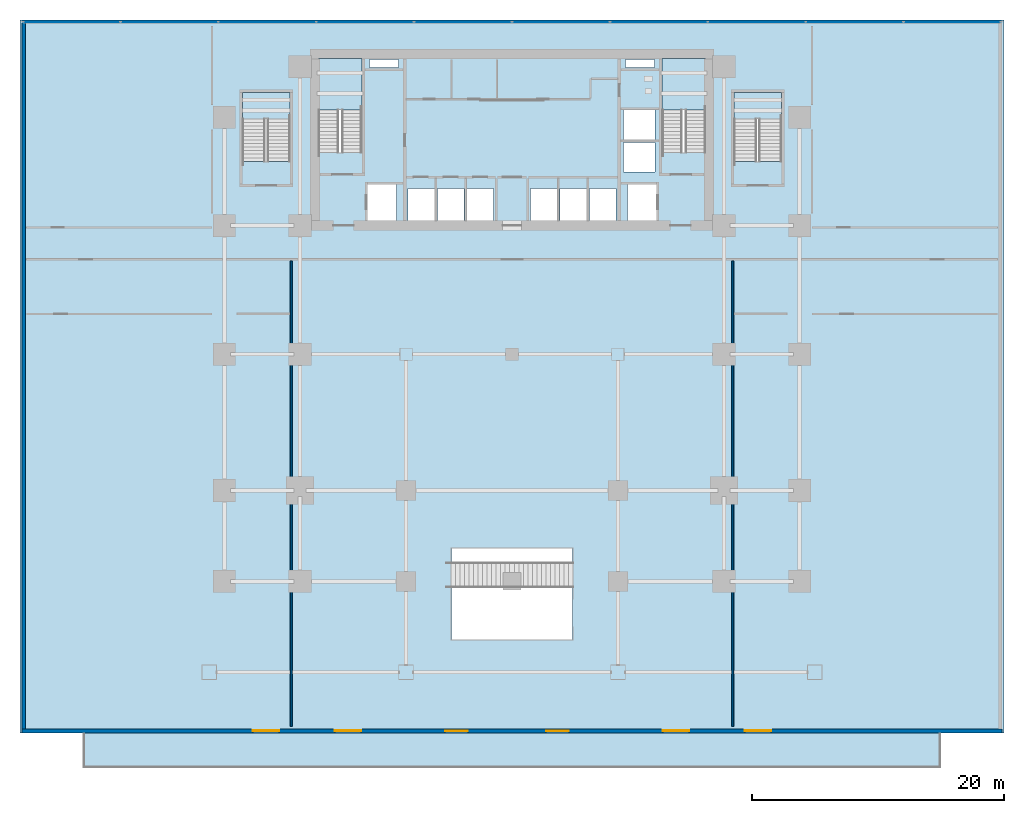
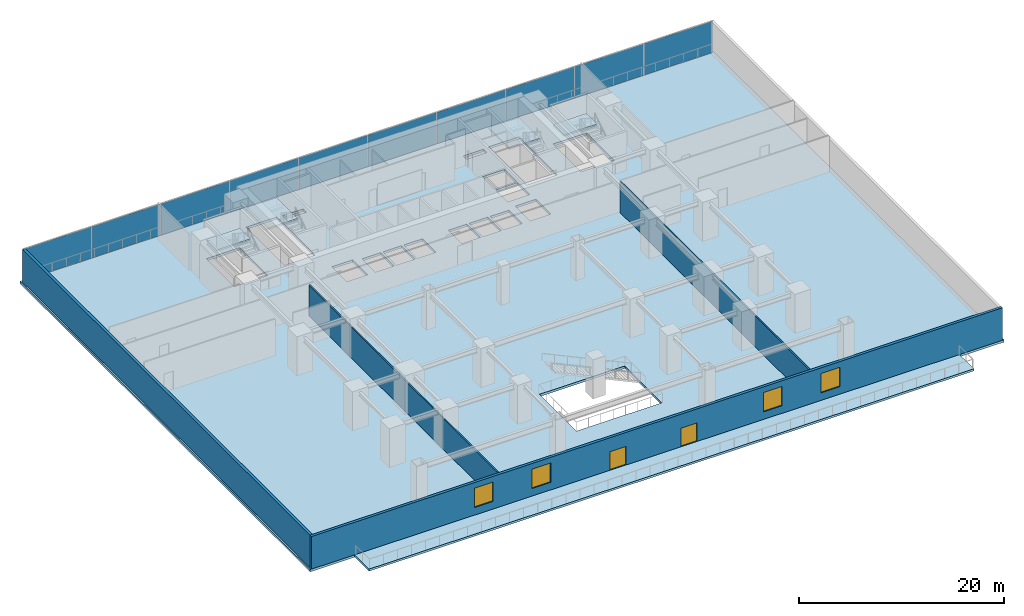
# One storey, part 8 of 17: 10 plates, 6 slabs, 4 walls, 4 windows, 2 doors, 6 openings, 5 elements without a shape of their own.
"""IFC4 building model written with IfcOpenShell, lengths in metres."""

from ifc_helpers import new_model, si_unit, direction, frame, frame_2d, origin, origin_2d, place, context, subcontext, project, spatial, polyline, rectangle, outline, extrude, source, transform, mapped, material, layer, layer_set, type_object, element, fill, aggregate, save


model = new_model("IFC4")

# Units and contexts
model_context = context("Model", 3, precision=1e-05, world=origin(), true_north=direction((0.0, 1.0)))
body_context = subcontext(model_context, "Body", "Model", "MODEL_VIEW")
ifc_project = project(units=[si_unit("LENGTHUNIT", "METRE"), si_unit("AREAUNIT", "SQUARE_METRE"), si_unit("VOLUMEUNIT", "CUBIC_METRE"), si_unit("PLANEANGLEUNIT", "RADIAN"), si_unit("MASSUNIT", "GRAM", prefix="KILO")], contexts=[model_context])

# Site, building, storey
site_placement = place(None, origin())
site = spatial("IfcSite", under=ifc_project, at=site_placement, CompositionType="ELEMENT")
building_placement = place(site_placement, origin())
building = spatial("IfcBuilding", under=site, at=building_placement, Name="Sumidabori Civic Tower", CompositionType="ELEMENT")
storey_placement = place(building_placement, frame((0.0, 0.0, 5.0)))
storey = spatial("IfcBuildingStorey", under=building, at=storey_placement, Name="L01", CompositionType="ELEMENT", Elevation=5.0)

# Stair, slab
ifc_material_1 = material(Name="Concrete C40/50", Category="concrete")
stair_type_1 = type_object("IfcStairType", Name="ST-CORE-1600", PredefinedType="HALF_TURN_STAIR", material=ifc_material_1)
stair_1_placement = place(storey_placement, origin())
stair_1 = element("IfcStair", 1, at=stair_1_placement, inside=storey, type_object=stair_type_1, Name="L01 ST-1", PredefinedType="HALF_TURN_STAIR")
ifc_layer_1 = layer(ifc_material_1, 0.199951171875, Name="Concrete C40/50")
ifc_layer_set_1 = layer_set([ifc_layer_1], Name="Concrete C40/50")
slab_type_1 = type_object("IfcSlabType", Name="SL-LAND-200", PredefinedType="LANDING", material=ifc_layer_set_1)
slab_1_placement = place(storey_placement, frame((0.0, 0.0, 2.125)))
slab_1 = element("IfcSlab", 2, at=slab_1_placement, type_object=slab_type_1, Name="ST-1 landing 1", PredefinedType="LANDING", context=body_context, shape_type="SweptSolid", body=[
    extrude(outline(polyline([(-11.89990234375, 19.360107421875), (-11.89990234375, 23.449951171875), (-15.340087890625, 23.449951171875), (-15.340087890625, 19.360107421875), (-11.89990234375, 19.360107421875)])), origin(), (0.0, 0.0, 1.0), 0.199951171875),
])
aggregate(stair_1, [slab_1])

stair_2_placement = place(storey_placement, origin())
stair_2 = element("IfcStair", 3, at=stair_2_placement, inside=storey, type_object=stair_type_1, Name="L01 ST-2", PredefinedType="HALF_TURN_STAIR")
slab_2_placement = place(storey_placement, frame((0.0, 0.0, 2.125)))
slab_2 = element("IfcSlab", 4, at=slab_2_placement, type_object=slab_type_1, Name="ST-2 landing 1", PredefinedType="LANDING", context=body_context, shape_type="SweptSolid", body=[
    extrude(outline(polyline([(15.340087890625, 19.360107421875), (15.340087890625, 23.449951171875), (11.89990234375, 23.449951171875), (11.89990234375, 19.360107421875), (15.340087890625, 19.360107421875)])), origin(), (0.0, 0.0, 1.0), 0.199951171875),
])
aggregate(stair_2, [slab_2])

stair_type_2 = type_object("IfcStairType", Name="ST-POD-1800", PredefinedType="HALF_TURN_STAIR", material=ifc_material_1)
stair_3_placement = place(storey_placement, origin())
stair_3 = element("IfcStair", 5, at=stair_3_placement, inside=storey, type_object=stair_type_2, Name="L01 ST-3", PredefinedType="HALF_TURN_STAIR")
slab_3_placement = place(storey_placement, frame((0.0, 0.0, 2.125)))
slab_3 = element("IfcSlab", 6, at=slab_3_placement, type_object=slab_type_1, Name="ST-3 landing 1", PredefinedType="LANDING", context=body_context, shape_type="SweptSolid", body=[
    extrude(outline(polyline([(-17.60009765625, 18.659912109375), (-17.60009765625, 20.739990234375), (-21.360107421875, 20.739990234375), (-21.360107421875, 18.659912109375), (-17.60009765625, 18.659912109375)])), origin(), (0.0, 0.0, 1.0), 0.199951171875),
])
aggregate(stair_3, [slab_3])

stair_4_placement = place(storey_placement, origin())
stair_4 = element("IfcStair", 7, at=stair_4_placement, inside=storey, type_object=stair_type_2, Name="L01 ST-4", PredefinedType="HALF_TURN_STAIR")
slab_4_placement = place(storey_placement, frame((0.0, 0.0, 2.125)))
slab_4 = element("IfcSlab", 8, at=slab_4_placement, type_object=slab_type_1, Name="ST-4 landing 1", PredefinedType="LANDING", context=body_context, shape_type="SweptSolid", body=[
    extrude(outline(polyline([(21.360107421875, 18.659912109375), (21.360107421875, 20.739990234375), (17.60009765625, 20.739990234375), (17.60009765625, 18.659912109375), (21.360107421875, 18.659912109375)])), origin(), (0.0, 0.0, 1.0), 0.199951171875),
])
aggregate(stair_4, [slab_4])

# Slabs
ifc_layer_2 = layer(ifc_material_1, 0.280029296875, Name="Concrete C40/50")
ifc_layer_set_2 = layer_set([ifc_layer_2], Name="Concrete C40/50")
slab_type_2 = type_object("IfcSlabType", Name="SL-POD-280", PredefinedType="FLOOR", material=ifc_layer_set_2)
slab_5_placement = place(storey_placement, frame((0.0, 0.0, -0.280029296875)))
element("IfcSlab", 9, at=slab_5_placement, inside=storey, type_object=slab_type_2, Name="Structural Slab L01", PredefinedType="FLOOR", context=body_context, shape_type="SweptSolid", body=[
    extrude(outline(polyline([(-39.0, -30.0), (39.0, -30.0), (39.0, 26.5), (-39.0, 26.5), (-39.0, -30.0)]), holes=[polyline([(-11.89990234375, 16.0), (-11.89990234375, 23.449951171875), (-15.340087890625, 23.449951171875), (-15.340087890625, 16.0), (-11.89990234375, 16.0)]), polyline([(15.340087890625, 16.0), (15.340087890625, 23.449951171875), (11.89990234375, 23.449951171875), (11.89990234375, 16.0), (15.340087890625, 16.0)]), polyline([(-17.60009765625, 15.300048828125), (-17.60009765625, 20.739990234375), (-21.360107421875, 20.739990234375), (-21.360107421875, 15.300048828125), (-17.60009765625, 15.300048828125)]), polyline([(21.360107421875, 15.300048828125), (21.360107421875, 20.739990234375), (17.60009765625, 20.739990234375), (17.60009765625, 15.300048828125), (21.360107421875, 15.300048828125)]), polyline([(-11.449951171875, 10.550048828125), (-9.14990234375, 10.550048828125), (-9.14990234375, 13.449951171875), (-11.449951171875, 13.449951171875), (-11.449951171875, 10.550048828125)]), polyline([(9.14990234375, 10.550048828125), (11.449951171875, 10.550048828125), (11.449951171875, 13.449951171875), (9.14990234375, 13.449951171875), (9.14990234375, 10.550048828125)]), polyline([(-8.25, 10.550048828125), (-6.14990234375, 10.550048828125), (-6.14990234375, 13.14990234375), (-8.25, 13.14990234375), (-8.25, 10.550048828125)]), polyline([(-5.89990234375, 10.550048828125), (-3.800048828125, 10.550048828125), (-3.800048828125, 13.14990234375), (-5.89990234375, 13.14990234375), (-5.89990234375, 10.550048828125)]), polyline([(-3.550048828125, 10.550048828125), (-1.449951171875, 10.550048828125), (-1.449951171875, 13.14990234375), (-3.550048828125, 13.14990234375), (-3.550048828125, 10.550048828125)]), polyline([(1.449951171875, 10.550048828125), (3.550048828125, 10.550048828125), (3.550048828125, 13.14990234375), (1.449951171875, 13.14990234375), (1.449951171875, 10.550048828125)]), polyline([(3.800048828125, 10.550048828125), (5.89990234375, 10.550048828125), (5.89990234375, 13.14990234375), (3.800048828125, 13.14990234375), (3.800048828125, 10.550048828125)]), polyline([(6.14990234375, 10.550048828125), (8.25, 10.550048828125), (8.25, 13.14990234375), (6.14990234375, 13.14990234375), (6.14990234375, 10.550048828125)]), polyline([(8.85009765625, 14.449951171875), (11.35009765625, 14.449951171875), (11.35009765625, 16.800048828125), (8.85009765625, 16.800048828125), (8.85009765625, 14.449951171875)]), polyline([(8.85009765625, 17.0), (11.35009765625, 17.0), (11.35009765625, 19.35009765625), (8.85009765625, 19.35009765625), (8.85009765625, 17.0)]), polyline([(-11.300048828125, 22.719970703125), (-9.0, 22.719970703125), (-9.0, 23.35009765625), (-11.300048828125, 23.35009765625), (-11.300048828125, 22.719970703125)]), polyline([(9.0, 22.719970703125), (11.300048828125, 22.719970703125), (11.300048828125, 23.35009765625), (9.0, 23.35009765625), (9.0, 22.719970703125)]), polyline([(-4.800048828125, -22.60009765625), (4.800048828125, -22.60009765625), (4.800048828125, -15.39990234375), (-4.800048828125, -15.39990234375), (-4.800048828125, -22.60009765625)])]), origin(), (0.0, 0.0, 1.0), 0.280029296875),
])
ifc_layer_3 = layer(ifc_material_1, 0.25, Name="Concrete C40/50")
ifc_layer_set_3 = layer_set([ifc_layer_3], Name="Concrete C40/50")
slab_type_3 = type_object("IfcSlabType", Name="SL-TER-250", PredefinedType="FLOOR", material=ifc_layer_set_3)
slab_6_placement = place(storey_placement, frame((0.0, 0.0, -0.25)))
element("IfcSlab", 10, at=slab_6_placement, inside=storey, type_object=slab_type_3, Name="Planted Podium Roof Terrace TER-L01-S", PredefinedType="FLOOR", context=body_context, shape_type="SweptSolid", body=[
    extrude(outline(polyline([(-34.0, -32.800048828125), (34.0, -32.800048828125), (34.0, -30.0), (-34.0, -30.0), (-34.0, -32.800048828125)])), origin(), (0.0, 0.0, 1.0), 0.25),
])

# Curtain wall, plates
ifc_material_2 = material(Name="Anodised Bronze Aluminium AW-6063-T6", Category="aluminium")
ifc_layer_4 = layer(ifc_material_2, 0.179931640625, Name="Anodised Bronze Aluminium AW-6063-T6")
ifc_layer_set_4 = layer_set([ifc_layer_4], Name="Anodised Bronze Aluminium AW-6063-T6")
curtain_wall_type = type_object("IfcCurtainWallType", Name="CW-SYS-1", PredefinedType="NOTDEFINED", material=ifc_layer_set_4)
curtain_wall_placement = place(storey_placement, origin())
curtain_wall = element("IfcCurtainWall", 11, at=curtain_wall_placement, inside=storey, type_object=curtain_wall_type, Name="Curtain Wall CW:L01:NORTH", PredefinedType="NOTDEFINED")
ifc_material_3 = material(Name="Low-E Vision Double Glazing", Category="glass")
ifc_layer_5 = layer(ifc_material_3, 0.031982421875, Name="Low-E Vision Double Glazing")
ifc_layer_set_5 = layer_set([ifc_layer_5], Name="Low-E Vision Double Glazing")
plate_type = type_object("IfcPlateType", Name="CW-PNL-32", PredefinedType="CURTAIN_PANEL", material=ifc_layer_set_5)
shared_shape_1 = source(origin(), body_context, "Body", "SweptSolid", [
    extrude(rectangle(XDim=7.655029296875, YDim=0.031982421875, at=origin_2d()), origin(), (0.0, 0.0, 1.0), 3.739990234375),
])
plate_1_placement = place(storey_placement, frame((-34.902587890625, 26.35009765625, 0.06494140625), z_axis=(0.0, 0.0, 1.0), x_axis=(1.0, 0.0, 0.0)))
plate_1 = element("IfcPlate", 12, at=plate_1_placement, type_object=plate_type, Name="CW-1 panel 1.1", PredefinedType="CURTAIN_PANEL", context=body_context, shape_type="MappedRepresentation", body=[
    mapped(shared_shape_1, transform((0.0, 0.0, 0.0), x_axis=(1.0, 0.0, 0.0), y_axis=(0.0, 1.0, 0.0), z_axis=(0.0, 0.0, 1.0), scale=1.0)),
])
plate_2_placement = place(storey_placement, frame((34.902587890625, 26.35009765625, 0.06494140625), z_axis=(0.0, 0.0, 1.0), x_axis=(1.0, 0.0, 0.0)))
plate_2 = element("IfcPlate", 13, at=plate_2_placement, type_object=plate_type, Name="CW-1 panel 10.1", PredefinedType="CURTAIN_PANEL", context=body_context, shape_type="MappedRepresentation", body=[
    mapped(shared_shape_1, transform((0.0, 0.0, 0.0), x_axis=(1.0, 0.0, 0.0), y_axis=(0.0, 1.0, 0.0), z_axis=(0.0, 0.0, 1.0), scale=1.0)),
])
shared_shape_2 = source(origin(), body_context, "Body", "SweptSolid", [
    extrude(rectangle(XDim=7.68994140625, YDim=0.031982421875, at=origin_2d()), origin(), (0.0, 0.0, 1.0), 3.739990234375),
])
plate_3_placement = place(storey_placement, frame((-27.159912109375, 26.35009765625, 0.06494140625), z_axis=(0.0, 0.0, 1.0), x_axis=(1.0, 0.0, 0.0)))
plate_3 = element("IfcPlate", 14, at=plate_3_placement, type_object=plate_type, Name="CW-1 panel 2.1", PredefinedType="CURTAIN_PANEL", context=body_context, shape_type="MappedRepresentation", body=[
    mapped(shared_shape_2, transform((0.0, 0.0, 0.0), x_axis=(1.0, 0.0, 0.0), y_axis=(0.0, 1.0, 0.0), z_axis=(0.0, 0.0, 1.0), scale=1.0)),
])
plate_4_placement = place(storey_placement, frame((-19.39990234375, 26.35009765625, 0.06494140625), z_axis=(0.0, 0.0, 1.0), x_axis=(1.0, 0.0, 0.0)))
plate_4 = element("IfcPlate", 15, at=plate_4_placement, type_object=plate_type, Name="CW-1 panel 3.1", PredefinedType="CURTAIN_PANEL", context=body_context, shape_type="MappedRepresentation", body=[
    mapped(shared_shape_2, transform((0.0, 0.0, 0.0), x_axis=(1.0, 0.0, 0.0), y_axis=(0.0, 1.0, 0.0), z_axis=(0.0, 0.0, 1.0), scale=1.0)),
])
plate_5_placement = place(storey_placement, frame((-11.639892578125, 26.35009765625, 0.06494140625), z_axis=(0.0, 0.0, 1.0), x_axis=(1.0, 0.0, 0.0)))
plate_5 = element("IfcPlate", 16, at=plate_5_placement, type_object=plate_type, Name="CW-1 panel 4.1", PredefinedType="CURTAIN_PANEL", context=body_context, shape_type="MappedRepresentation", body=[
    mapped(shared_shape_2, transform((0.0, 0.0, 0.0), x_axis=(1.0, 0.0, 0.0), y_axis=(0.0, 1.0, 0.0), z_axis=(0.0, 0.0, 1.0), scale=1.0)),
])
plate_6_placement = place(storey_placement, frame((-3.8798828125, 26.35009765625, 0.06494140625), z_axis=(0.0, 0.0, 1.0), x_axis=(1.0, 0.0, 0.0)))
plate_6 = element("IfcPlate", 17, at=plate_6_placement, type_object=plate_type, Name="CW-1 panel 5.1", PredefinedType="CURTAIN_PANEL", context=body_context, shape_type="MappedRepresentation", body=[
    mapped(shared_shape_2, transform((0.0, 0.0, 0.0), x_axis=(1.0, 0.0, 0.0), y_axis=(0.0, 1.0, 0.0), z_axis=(0.0, 0.0, 1.0), scale=1.0)),
])
plate_7_placement = place(storey_placement, frame((3.8798828125, 26.35009765625, 0.06494140625), z_axis=(0.0, 0.0, 1.0), x_axis=(1.0, 0.0, 0.0)))
plate_7 = element("IfcPlate", 18, at=plate_7_placement, type_object=plate_type, Name="CW-1 panel 6.1", PredefinedType="CURTAIN_PANEL", context=body_context, shape_type="MappedRepresentation", body=[
    mapped(shared_shape_2, transform((0.0, 0.0, 0.0), x_axis=(1.0, 0.0, 0.0), y_axis=(0.0, 1.0, 0.0), z_axis=(0.0, 0.0, 1.0), scale=1.0)),
])
plate_8_placement = place(storey_placement, frame((11.639892578125, 26.35009765625, 0.06494140625), z_axis=(0.0, 0.0, 1.0), x_axis=(1.0, 0.0, 0.0)))
plate_8 = element("IfcPlate", 19, at=plate_8_placement, type_object=plate_type, Name="CW-1 panel 7.1", PredefinedType="CURTAIN_PANEL", context=body_context, shape_type="MappedRepresentation", body=[
    mapped(shared_shape_2, transform((0.0, 0.0, 0.0), x_axis=(1.0, 0.0, 0.0), y_axis=(0.0, 1.0, 0.0), z_axis=(0.0, 0.0, 1.0), scale=1.0)),
])
plate_9_placement = place(storey_placement, frame((19.39990234375, 26.35009765625, 0.06494140625), z_axis=(0.0, 0.0, 1.0), x_axis=(1.0, 0.0, 0.0)))
plate_9 = element("IfcPlate", 20, at=plate_9_placement, type_object=plate_type, Name="CW-1 panel 8.1", PredefinedType="CURTAIN_PANEL", context=body_context, shape_type="MappedRepresentation", body=[
    mapped(shared_shape_2, transform((0.0, 0.0, 0.0), x_axis=(1.0, 0.0, 0.0), y_axis=(0.0, 1.0, 0.0), z_axis=(0.0, 0.0, 1.0), scale=1.0)),
])
plate_10_placement = place(storey_placement, frame((27.159912109375, 26.35009765625, 0.06494140625), z_axis=(0.0, 0.0, 1.0), x_axis=(1.0, 0.0, 0.0)))
plate_10 = element("IfcPlate", 21, at=plate_10_placement, type_object=plate_type, Name="CW-1 panel 9.1", PredefinedType="CURTAIN_PANEL", context=body_context, shape_type="MappedRepresentation", body=[
    mapped(shared_shape_2, transform((0.0, 0.0, 0.0), x_axis=(1.0, 0.0, 0.0), y_axis=(0.0, 1.0, 0.0), z_axis=(0.0, 0.0, 1.0), scale=1.0)),
])
aggregate(curtain_wall, [plate_1, plate_3, plate_4, plate_5, plate_6, plate_7, plate_8, plate_9, plate_10, plate_2])

# Wall, openings, windows, doors
ifc_material_4 = material(Name="Precast concrete C40/50", Category="concrete")
ifc_layer_6 = layer(ifc_material_4, 0.300048828125, Name="Precast concrete C40/50")
ifc_layer_set_6 = layer_set([ifc_layer_6], Name="Precast concrete C40/50")
wall_type_1 = type_object("IfcWallType", Name="WL-EXT-POD300", PredefinedType="STANDARD", material=ifc_layer_set_6)
shared_shape_3 = source(origin(), body_context, "Body", "SweptSolid", [
    extrude(rectangle(XDim=77.7001953125, YDim=0.300048828125, at=frame_2d((38.85009765625, 0.0))), origin(), (0.0, 0.0, 1.0), 3.8701171875),
])
wall_1_placement = place(storey_placement, frame((38.85009765625, -29.85009765625, 0.0), z_axis=(0.0, 0.0, 1.0), x_axis=(-1.0, 0.0, 0.0)))
wall_1 = element("IfcWall", 22, at=wall_1_placement, inside=storey, type_object=wall_type_1, Name="Podium South Wall L01", PredefinedType="STANDARD", context=body_context, shape_type="MappedRepresentation", body=[
    mapped(shared_shape_3, transform((0.0, 0.0, 0.0), x_axis=(1.0, 0.0, 0.0), y_axis=(0.0, 1.0, 0.0), z_axis=(0.0, 0.0, 1.0), scale=1.0)),
])
opening_1_placement = place(wall_1_placement, frame((18.300048828125, 0.0, 0.89990234375)))
opening_1 = element("IfcOpeningElement", 23, at=opening_1_placement, cuts=wall_1, Name="Opening WN-6", PredefinedType="OPENING", context=body_context, shape_type="SweptSolid", body=[
    extrude(rectangle(XDim=2.10009765625, YDim=2.300048828125, at=frame_2d((1.050048828125, 1.14990234375))), frame((0.0, 0.162109375, 0.0), z_axis=(0.0, -1.0, 0.0), x_axis=(1.0, 0.0, 0.0)), (0.0, 0.0, 1.0), 0.323974609375),
])
opening_2_placement = place(wall_1_placement, frame((24.800048828125, 0.0, 0.89990234375)))
opening_2 = element("IfcOpeningElement", 24, at=opening_2_placement, cuts=wall_1, Name="Opening WN-6", PredefinedType="OPENING", context=body_context, shape_type="SweptSolid", body=[
    extrude(rectangle(XDim=2.10009765625, YDim=2.300048828125, at=frame_2d((1.050048828125, 1.14990234375))), frame((0.0, 0.162109375, 0.0), z_axis=(0.0, -1.0, 0.0), x_axis=(1.0, 0.0, 0.0)), (0.0, 0.0, 1.0), 0.323974609375),
])
opening_3_placement = place(wall_1_placement, frame((50.800048828125, 0.0, 0.89990234375)))
opening_3 = element("IfcOpeningElement", 25, at=opening_3_placement, cuts=wall_1, Name="Opening WN-6", PredefinedType="OPENING", context=body_context, shape_type="SweptSolid", body=[
    extrude(rectangle(XDim=2.10009765625, YDim=2.300048828125, at=frame_2d((1.050048828125, 1.14990234375))), frame((0.0, 0.162109375, 0.0), z_axis=(0.0, -1.0, 0.0), x_axis=(1.0, 0.0, 0.0)), (0.0, 0.0, 1.0), 0.323974609375),
])
opening_4_placement = place(wall_1_placement, frame((57.300048828125, 0.0, 0.89990234375)))
opening_4 = element("IfcOpeningElement", 26, at=opening_4_placement, cuts=wall_1, Name="Opening WN-6", PredefinedType="OPENING", context=body_context, shape_type="SweptSolid", body=[
    extrude(rectangle(XDim=2.10009765625, YDim=2.300048828125, at=frame_2d((1.050048828125, 1.14990234375))), frame((0.0, 0.162109375, 0.0), z_axis=(0.0, -1.0, 0.0), x_axis=(1.0, 0.0, 0.0)), (0.0, 0.0, 1.0), 0.323974609375),
])
opening_5_placement = place(wall_1_placement, frame((34.35009765625, 0.0, 0.0)))
opening_5 = element("IfcOpeningElement", 27, at=opening_5_placement, cuts=wall_1, Name="Opening DT-1", PredefinedType="OPENING", context=body_context, shape_type="SweptSolid", body=[
    extrude(rectangle(XDim=1.800048828125, YDim=2.199951171875, at=frame_2d((0.89990234375, 1.10009765625))), frame((0.0, 0.162109375, 0.0), z_axis=(0.0, -1.0, 0.0), x_axis=(1.0, 0.0, 0.0)), (0.0, 0.0, 1.0), 0.323974609375),
])
opening_6_placement = place(wall_1_placement, frame((42.35009765625, 0.0, 0.0)))
opening_6 = element("IfcOpeningElement", 28, at=opening_6_placement, cuts=wall_1, Name="Opening DT-1", PredefinedType="OPENING", context=body_context, shape_type="SweptSolid", body=[
    extrude(rectangle(XDim=1.800048828125, YDim=2.199951171875, at=frame_2d((0.89990234375, 1.10009765625))), frame((0.0, 0.162109375, 0.0), z_axis=(0.0, -1.0, 0.0), x_axis=(1.0, 0.0, 0.0)), (0.0, 0.0, 1.0), 0.323974609375),
])
window_type = type_object("IfcWindowType", Name="WN-POD-2100", PartitioningType="SINGLE_PANEL", PredefinedType="WINDOW", material=ifc_material_3)
shared_shape_4 = source(origin(), body_context, "Body", "SweptSolid", [
    extrude(rectangle(XDim=2.10009765625, YDim=2.300048828125, at=frame_2d((1.050048828125, 1.14990234375))), frame((0.0, 0.030029296875, 0.0), z_axis=(0.0, -1.0, 0.0), x_axis=(1.0, 0.0, 0.0)), (0.0, 0.0, 1.0), 0.06005859375),
])
window_1_placement = place(opening_1_placement, origin())
window_1 = element("IfcWindow", 29, at=window_1_placement, inside=storey, type_object=window_type, Name="Podium Window L01-S1", OverallHeight=2.300048828125, OverallWidth=2.10009765625, PartitioningType="SINGLE_PANEL", PredefinedType="WINDOW", context=body_context, shape_type="MappedRepresentation", body=[
    mapped(shared_shape_4, transform((0.0, 0.0, 0.0), x_axis=(1.0, 0.0, 0.0), y_axis=(0.0, 1.0, 0.0), z_axis=(0.0, 0.0, 1.0), scale=1.0)),
])
fill(opening_1, window_1)
window_2_placement = place(opening_2_placement, origin())
window_2 = element("IfcWindow", 30, at=window_2_placement, inside=storey, type_object=window_type, Name="Podium Window L01-S2", OverallHeight=2.300048828125, OverallWidth=2.10009765625, PartitioningType="SINGLE_PANEL", PredefinedType="WINDOW", context=body_context, shape_type="MappedRepresentation", body=[
    mapped(shared_shape_4, transform((0.0, 0.0, 0.0), x_axis=(1.0, 0.0, 0.0), y_axis=(0.0, 1.0, 0.0), z_axis=(0.0, 0.0, 1.0), scale=1.0)),
])
fill(opening_2, window_2)
window_3_placement = place(opening_3_placement, origin())
window_3 = element("IfcWindow", 31, at=window_3_placement, inside=storey, type_object=window_type, Name="Podium Window L01-S3", OverallHeight=2.300048828125, OverallWidth=2.10009765625, PartitioningType="SINGLE_PANEL", PredefinedType="WINDOW", context=body_context, shape_type="MappedRepresentation", body=[
    mapped(shared_shape_4, transform((0.0, 0.0, 0.0), x_axis=(1.0, 0.0, 0.0), y_axis=(0.0, 1.0, 0.0), z_axis=(0.0, 0.0, 1.0), scale=1.0)),
])
fill(opening_3, window_3)
window_4_placement = place(opening_4_placement, origin())
window_4 = element("IfcWindow", 32, at=window_4_placement, inside=storey, type_object=window_type, Name="Podium Window L01-S4", OverallHeight=2.300048828125, OverallWidth=2.10009765625, PartitioningType="SINGLE_PANEL", PredefinedType="WINDOW", context=body_context, shape_type="MappedRepresentation", body=[
    mapped(shared_shape_4, transform((0.0, 0.0, 0.0), x_axis=(1.0, 0.0, 0.0), y_axis=(0.0, 1.0, 0.0), z_axis=(0.0, 0.0, 1.0), scale=1.0)),
])
fill(opening_4, window_4)
door_type = type_object("IfcDoorType", Name="DR-EXT-TER", OperationType="DOUBLE_DOOR_SINGLE_SWING", PredefinedType="DOOR", material=ifc_material_2)
shared_shape_5 = source(origin(), body_context, "Body", "SweptSolid", [
    extrude(rectangle(XDim=1.800048828125, YDim=2.199951171875, at=frame_2d((0.89990234375, 1.10009765625))), frame((0.0, 0.02490234375, 0.0), z_axis=(0.0, -1.0, 0.0), x_axis=(1.0, 0.0, 0.0)), (0.0, 0.0, 1.0), 0.050048828125),
])
door_1_placement = place(opening_5_placement, origin())
door_1 = element("IfcDoor", 33, at=door_1_placement, inside=storey, type_object=door_type, Name="Terrace Access Door TER-L01-S-1", OperationType="DOUBLE_DOOR_SINGLE_SWING", OverallHeight=2.199951171875, OverallWidth=1.800048828125, PredefinedType="DOOR", context=body_context, shape_type="MappedRepresentation", body=[
    mapped(shared_shape_5, transform((0.0, 0.0, 0.0), x_axis=(1.0, 0.0, 0.0), y_axis=(0.0, 1.0, 0.0), z_axis=(0.0, 0.0, 1.0), scale=1.0)),
])
fill(opening_5, door_1)
door_2_placement = place(opening_6_placement, origin())
door_2 = element("IfcDoor", 34, at=door_2_placement, inside=storey, type_object=door_type, Name="Terrace Access Door TER-L01-S-2", OperationType="DOUBLE_DOOR_SINGLE_SWING", OverallHeight=2.199951171875, OverallWidth=1.800048828125, PredefinedType="DOOR", context=body_context, shape_type="MappedRepresentation", body=[
    mapped(shared_shape_5, transform((0.0, 0.0, 0.0), x_axis=(1.0, 0.0, 0.0), y_axis=(0.0, 1.0, 0.0), z_axis=(0.0, 0.0, 1.0), scale=1.0)),
])
fill(opening_6, door_2)

# Walls
shared_shape_6 = source(origin(), body_context, "Body", "SweptSolid", [
    extrude(rectangle(XDim=55.989990234375, YDim=0.300048828125, at=frame_2d((27.9951171875, 0.0))), origin(), (0.0, 0.0, 1.0), 3.8701171875),
])
wall_2_placement = place(storey_placement, frame((-38.699951171875, -29.699951171875, 0.0), z_axis=(0.0, 0.0, 1.0), x_axis=(0.0, 1.0, 0.0)))
element("IfcWall", 35, at=wall_2_placement, inside=storey, type_object=wall_type_1, Name="Podium West Wall L01", PredefinedType="STANDARD", context=body_context, shape_type="MappedRepresentation", body=[
    mapped(shared_shape_6, transform((0.0, 0.0, 0.0), x_axis=(1.0, 0.0, 0.0), y_axis=(0.0, 1.0, 0.0), z_axis=(0.0, 0.0, 1.0), scale=1.0)),
])
ifc_material_5 = material(Name="Gypsum Plasterboard Acoustic Partition")
ifc_layer_7 = layer(ifc_material_5, 0.14990234375, Name="Gypsum Plasterboard Acoustic Partition")
ifc_layer_set_7 = layer_set([ifc_layer_7], Name="Gypsum Plasterboard Acoustic Partition")
wall_type_2 = type_object("IfcWallType", Name="WL-PART-150", PredefinedType="PARTITIONING", material=ifc_layer_set_7)
shared_shape_7 = source(origin(), body_context, "Body", "SweptSolid", [
    extrude(rectangle(XDim=36.8798828125, YDim=0.14990234375, at=frame_2d((18.43994140625, 0.0))), origin(), (0.0, 0.0, 1.0), 3.655029296875),
])
for number, where, z_axis, x_axis, name in (
    (36, (-17.5, -29.5, 0.0), (0.0, 0.0, 1.0), (0.0, 1.0, 0.0), "Interior Partition WL:L01:DIV-W"),
    (37, (17.5, -29.5, 0.0), (0.0, 0.0, 1.0), (0.0, 1.0, 0.0), "Interior Partition WL:L01:DIV-E"),
):
    element("IfcWall", number, at=place(storey_placement, frame(where, z_axis=z_axis, x_axis=x_axis)), inside=storey, type_object=wall_type_2, Name=name, PredefinedType="PARTITIONING", context=body_context, shape_type="MappedRepresentation", body=[
        mapped(shared_shape_7, transform((0.0, 0.0, 0.0), x_axis=(1.0, 0.0, 0.0), y_axis=(0.0, 1.0, 0.0), z_axis=(0.0, 0.0, 1.0), scale=1.0)),
    ])

save(model, "model.ifc")
